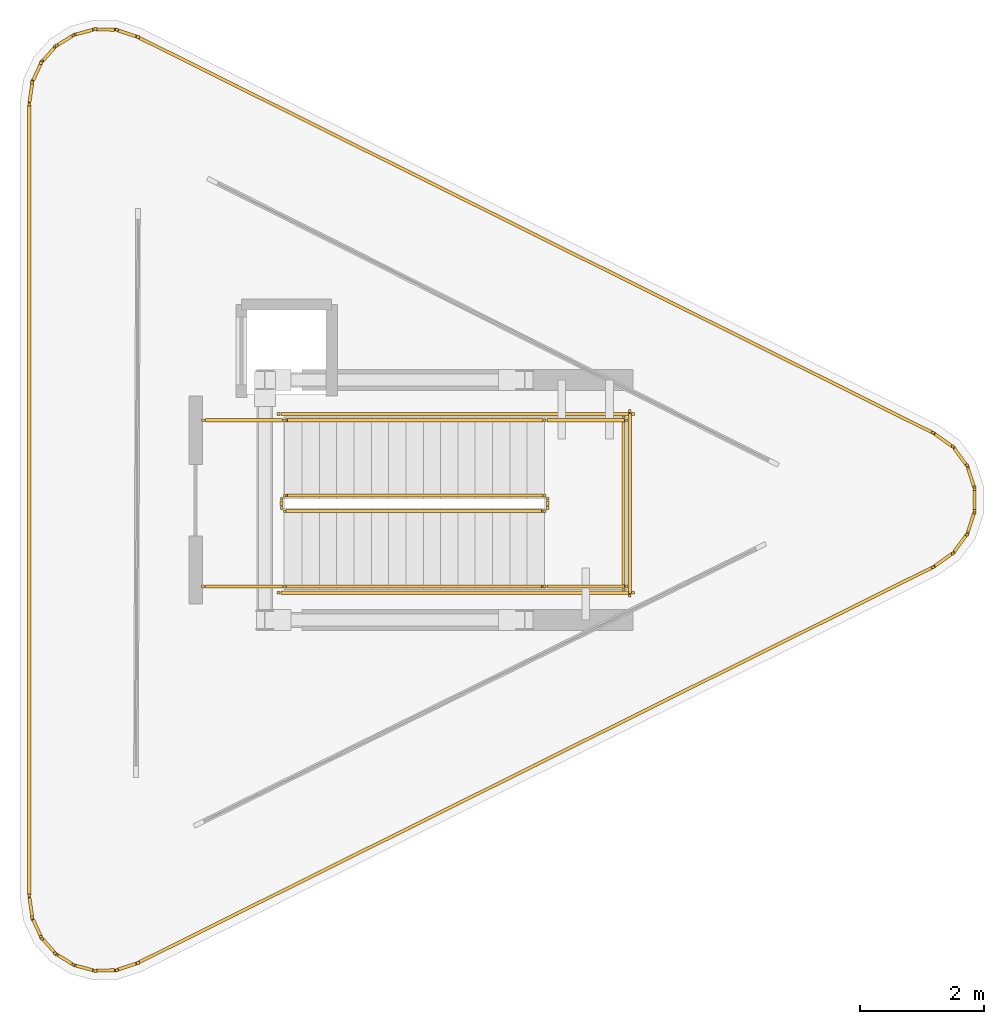
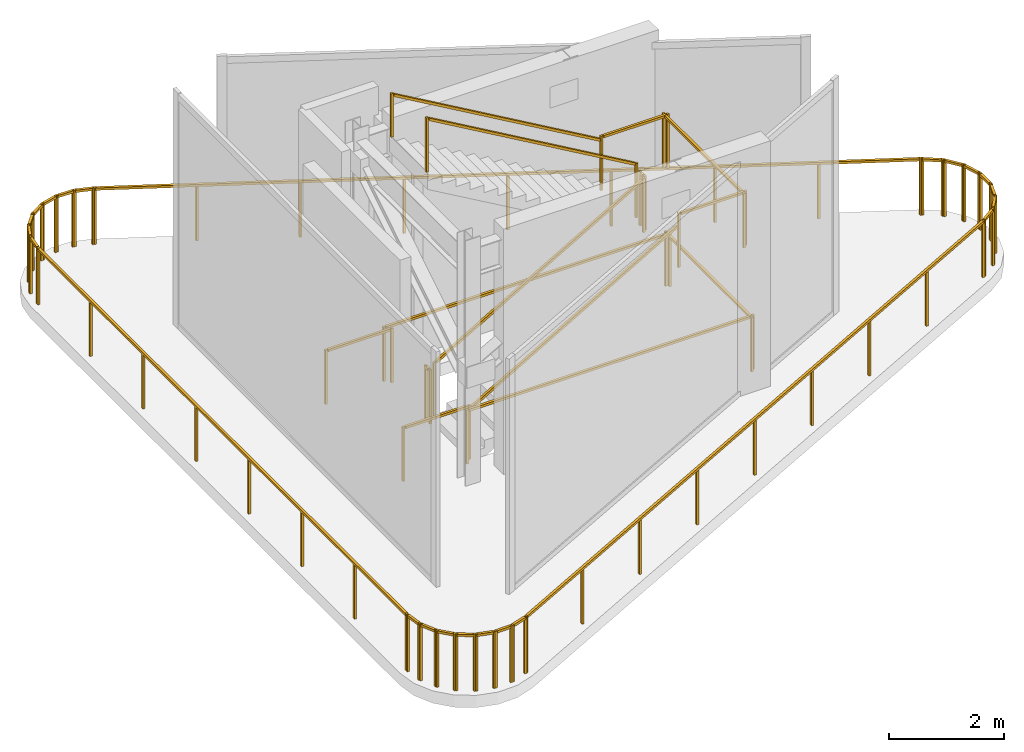
# One storey, part 3 of 3: 38 railings.
"""IFC4 building model written with IfcOpenShell, lengths in metres."""

import ifcopenshell
import ifcopenshell.guid

model = None  # the IFC model being written
_history = None  # IfcOwnerHistory: only IFC2X3 demands one
_inside = {}  # id of a spatial element -> (the spatial element, [elements in it])
_under = {}  # id of a project, library or spatial element -> (it, [spatial elements below it])
_declared = {}  # id of a project -> (the project, [libraries it declares])
_typed = {}  # id of a type object -> (the type object, [elements of that type])
_made_of = {}  # id of a material, layer set ... -> (it, [elements and type objects made of it])


def new_model(schema):
    """Start an empty IFC model of exactly this schema.

    Asked for "IFC4X3", IfcOpenShell would pick the latest addendum, in which some entities
    have other attributes; the version numbers below select the first issue.
    IFC2X3 requires an IfcOwnerHistory on every rooted entity: one is made here for all.
    """
    global model, _history
    if schema == "IFC4X3":
        model = ifcopenshell.file(schema_version=(4, 3, 0, 0))
    else:
        model = ifcopenshell.file(schema=schema)
    _inside.clear()
    _under.clear()
    _declared.clear()
    _typed.clear()
    _made_of.clear()
    _history = None
    if model.schema == "IFC2X3":
        org = make("IfcOrganization", Name="unknown")
        user = make(
            "IfcPersonAndOrganization",
            ThePerson=make("IfcPerson", FamilyName="unknown"),
            TheOrganization=org,
        )
        app = make(
            "IfcApplication",
            ApplicationDeveloper=org,
            Version="unknown",
            ApplicationFullName="unknown",
            ApplicationIdentifier="unknown",
        )
        _history = make(
            "IfcOwnerHistory",
            OwningUser=user,
            OwningApplication=app,
            ChangeAction="ADDED",
            CreationDate=0,
        )
    return model


def make(cls, **values):
    """One entity of the class cls with the attributes given. An attribute that is None is left unset."""
    return model.create_entity(
        cls, **{name: value for name, value in values.items() if value is not None}
    )


def rooted(cls, **values):
    """An entity with a GlobalId (a new one), such as an element, a storey or a relation."""
    return make(cls, GlobalId=ifcopenshell.guid.new(), OwnerHistory=_history, **values)


def si_unit(unit_type, name, prefix=None):
    """IfcSIUnit, for example si_unit("LENGTHUNIT", "METRE", prefix="MILLI")."""
    return make("IfcSIUnit", UnitType=unit_type, Prefix=prefix, Name=name)


def assignment(units):
    """IfcUnitAssignment: the units of a project."""
    return None if units is None else make("IfcUnitAssignment", Units=units)


def point(xyz):
    """IfcCartesianPoint."""
    return None if xyz is None else make("IfcCartesianPoint", Coordinates=xyz)


def direction(xyz):
    """IfcDirection."""
    return None if xyz is None else make("IfcDirection", DirectionRatios=xyz)


def frame(location, z_axis=None, x_axis=None):
    """IfcAxis2Placement3D, a coordinate frame: its origin and axes. An axis left out is left unset."""
    return make(
        "IfcAxis2Placement3D",
        Location=point(location),
        Axis=direction(z_axis),
        RefDirection=direction(x_axis),
    )


def frame_2d(location, x_axis=None):
    """IfcAxis2Placement2D, a coordinate frame in the plane: its origin and x axis."""
    return make(
        "IfcAxis2Placement2D", Location=point(location), RefDirection=direction(x_axis)
    )


def origin():
    """The frame at (0, 0, 0) with its axes left unset."""
    return frame((0.0, 0.0, 0.0))


def origin_2d():
    """The frame at (0, 0) in the plane with its x axis left unset."""
    return frame_2d((0.0, 0.0))


def place(relative_to, where):
    """IfcLocalPlacement: puts the frame where relative to a parent placement (None: the world)."""
    return make(
        "IfcLocalPlacement", PlacementRelTo=relative_to, RelativePlacement=where
    )


def context(
    kind, dimensions, precision=None, world=None, true_north=None, identifier=None
):
    """IfcGeometricRepresentationContext, for example the 3D "Model" context."""
    return make(
        "IfcGeometricRepresentationContext",
        ContextIdentifier=identifier,
        ContextType=kind,
        CoordinateSpaceDimension=dimensions,
        Precision=precision,
        WorldCoordinateSystem=world,
        TrueNorth=true_north,
    )


def subcontext(parent, identifier, kind, view, scale=None):
    """IfcGeometricRepresentationSubContext, for example "Body" below "Model"."""
    return make(
        "IfcGeometricRepresentationSubContext",
        ContextIdentifier=identifier,
        ContextType=kind,
        ParentContext=parent,
        TargetScale=scale,
        TargetView=view,
    )


def project(units=None, contexts=None):
    """IfcProject with its units and contexts."""
    return rooted(
        "IfcProject",
        Name="project",
        RepresentationContexts=contexts,
        UnitsInContext=assignment(units),
    )


def spatial(cls, under=None, at=None, **own):
    """A site, building, storey or space (cls), placed at a placement, below another one or the project."""
    s = rooted(cls, ObjectPlacement=at, **own)
    if under is not None:
        _under.setdefault(under.id(), (under, []))[1].append(s)
    return s


def profile(cls, at=None, kind="AREA", **sizes):
    """A parametric profile (cls). Its sizes go by their IFC names, for example OverallWidth=200.0."""
    return make(cls, ProfileType=kind, Position=at, **sizes)


def rectangle(**sizes):
    """IfcRectangleProfileDef."""
    return profile("IfcRectangleProfileDef", **sizes)


def extrude(swept, where, along, depth):
    """IfcExtrudedAreaSolid: the profile swept, set in the frame where, extruded along a direction by depth."""
    return make(
        "IfcExtrudedAreaSolid",
        SweptArea=swept,
        Position=where,
        ExtrudedDirection=direction(along),
        Depth=depth,
    )


def shape(context_of_items, identifier, shape_type, items):
    """IfcShapeRepresentation: the items that make up one representation, for example the "Body"."""
    return make(
        "IfcShapeRepresentation",
        ContextOfItems=context_of_items,
        RepresentationIdentifier=identifier,
        RepresentationType=shape_type,
        Items=items,
    )


def material(Name=None, Category=None):
    """IfcMaterial."""
    return make("IfcMaterial", Name=Name, Category=Category)


def made_of(thing, what):
    """Note that an element or type object is made of a material, layer set ...; save() writes the relation."""
    if what is not None:
        _made_of.setdefault(what.id(), (what, []))[1].append(thing)
    return thing


def type_object(cls, material=None, **own):
    """A type object (cls), such as IfcWallType, which elements share."""
    return made_of(rooted(cls, **own), material)


def element(
    cls,
    number,
    at=None,
    inside=None,
    cuts=None,
    type_object=None,
    material=None,
    context=None,
    identifier="Body",
    shape_type=None,
    held_by="IfcProductDefinitionShape",
    body=None,
    shapes=None,
    **own,
):
    """One element of the class cls, such as IfcWall. Its Tag is "e" and its number.

    at: its placement. inside: the storey or other place that contains it. cuts: it is an
    opening in that element (IfcRelVoidsElement). A single representation is given by context,
    identifier, shape_type and body (its items); several are given by shapes. held_by: the class
    of the entity that holds the representations. save() writes the other relations.
    """
    e = rooted(cls, Tag="e%d" % number, ObjectPlacement=at, **own)
    if body is not None:
        shapes = [shape(context, identifier, shape_type, body)]
    if shapes is not None:
        e.Representation = make(held_by, Representations=shapes)
    if inside is not None:
        _inside.setdefault(inside.id(), (inside, []))[1].append(e)
    if cuts is not None:
        rooted(
            "IfcRelVoidsElement", RelatingBuildingElement=cuts, RelatedOpeningElement=e
        )
    if type_object is not None:
        _typed.setdefault(type_object.id(), (type_object, []))[1].append(e)
    return made_of(e, material)


def aggregate(whole, parts):
    """IfcRelAggregates: a whole, such as a stair, and the parts it consists of."""
    return rooted("IfcRelAggregates", RelatingObject=whole, RelatedObjects=parts)


def save(model, path):
    """Write the relations noted so far, then the file.

    IfcRelAggregates (storeys below a building ...), IfcRelContainedInSpatialStructure (elements
    in a storey), IfcRelDefinesByType, IfcRelAssociatesMaterial and IfcRelDeclares: one each for
    every whole, place, type object, material and project.
    """
    for whole, parts in _under.values():
        aggregate(whole, parts)
    for where, things in _inside.values():
        rooted(
            "IfcRelContainedInSpatialStructure",
            RelatedElements=things,
            RelatingStructure=where,
        )
    for kind, things in _typed.values():
        rooted("IfcRelDefinesByType", RelatedObjects=things, RelatingType=kind)
    for what, things in _made_of.values():
        rooted("IfcRelAssociatesMaterial", RelatedObjects=things, RelatingMaterial=what)
    for by, libraries in _declared.values():
        rooted("IfcRelDeclares", RelatingContext=by, RelatedDefinitions=libraries)
    model.write(path)


model = new_model("IFC4")

# Units and contexts
model_context = context("Model", 3, precision=1e-05, world=origin(), true_north=direction((0.0, 1.0)))
body_context = subcontext(model_context, "Body", "Model", "MODEL_VIEW")
ifc_project = project(units=[si_unit("LENGTHUNIT", "METRE"), si_unit("AREAUNIT", "SQUARE_METRE"), si_unit("VOLUMEUNIT", "CUBIC_METRE"), si_unit("PLANEANGLEUNIT", "RADIAN"), si_unit("MASSUNIT", "GRAM", prefix="KILO")], contexts=[model_context])

# Site, building, storey
site_placement = place(None, origin())
site = spatial("IfcSite", under=ifc_project, at=site_placement, CompositionType="ELEMENT")
building_placement = place(site_placement, origin())
building = spatial("IfcBuilding", under=site, at=building_placement, Name="Yunling Apex Tower", CompositionType="ELEMENT")
storey_placement = place(building_placement, frame((0.0, 0.0, 338.64990234375)))
storey = spatial("IfcBuildingStorey", under=building, at=storey_placement, Name="C05", CompositionType="ELEMENT", Elevation=338.64990234375)

# Railings
ifc_material_1 = material(Name="Bronze anodised aluminium", Category="aluminium")
railing_type_1 = type_object("IfcRailingType", Name="RL-BAL-1200", PredefinedType="BALUSTRADE", material=ifc_material_1)
railing_1_placement = place(storey_placement, frame((-5.609619140625, -6.42431640625, 0.0)))
element("IfcRailing", 1, at=railing_1_placement, inside=storey, type_object=railing_type_1, Name="RL-CRN-PERIM-C05-01", PredefinedType="BALUSTRADE", context=body_context, shape_type="SweptSolid", body=[
    extrude(rectangle(XDim=0.0439453125, YDim=0.0439453125, at=origin_2d()), origin(), (0.0, 0.0, 1.0), 1.199951171875),
    extrude(rectangle(XDim=0.0439453125, YDim=0.0439453125, at=origin_2d()), frame((0.0, 12.8486328125, 0.0)), (0.0, 0.0, 1.0), 1.199951171875),
    extrude(rectangle(XDim=0.050048828125, YDim=0.050048828125, at=origin_2d()), frame((0.0, 0.038330078125, 1.1748046875), z_axis=(0.0, 1.0, 0.0), x_axis=(-1.0, 0.0, 0.0)), (0.0, 0.0, 1.0), 12.77197265625),
    extrude(rectangle(XDim=0.0439453125, YDim=0.0439453125, at=origin_2d()), frame((0.0, 1.83544921875, 0.0)), (0.0, 0.0, 1.0), 1.14599609375),
    extrude(rectangle(XDim=0.0439453125, YDim=0.0439453125, at=origin_2d()), frame((0.0, 3.671142578125, 0.0)), (0.0, 0.0, 1.0), 1.14599609375),
    extrude(rectangle(XDim=0.0439453125, YDim=0.0439453125, at=origin_2d()), frame((0.0, 5.506591796875, 0.0)), (0.0, 0.0, 1.0), 1.14599609375),
    extrude(rectangle(XDim=0.0439453125, YDim=0.0439453125, at=origin_2d()), frame((0.0, 7.342041015625, 0.0)), (0.0, 0.0, 1.0), 1.14599609375),
    extrude(rectangle(XDim=0.0439453125, YDim=0.0439453125, at=origin_2d()), frame((0.0, 9.177490234375, 0.0)), (0.0, 0.0, 1.0), 1.14599609375),
    extrude(rectangle(XDim=0.0439453125, YDim=0.0439453125, at=origin_2d()), frame((0.0, 11.01318359375, 0.0)), (0.0, 0.0, 1.0), 1.14599609375),
])
railing_2_placement = place(storey_placement, frame((-5.61181640625, 6.394287109375, 0.0)))
element("IfcRailing", 2, at=railing_2_placement, inside=storey, type_object=railing_type_1, Name="RL-CRN-PERIM-C05-02", PredefinedType="BALUSTRADE", context=body_context, shape_type="SweptSolid", body=[
    extrude(rectangle(XDim=0.0439453125, YDim=0.0439453125, at=origin_2d()), origin(), (0.0, 0.0, 1.0), 1.199951171875),
    extrude(rectangle(XDim=0.0439453125, YDim=0.0439453125, at=origin_2d()), frame((0.055908203125, 0.3837890625, 0.0)), (0.0, 0.0, 1.0), 1.199951171875),
    extrude(rectangle(XDim=0.050048828125, YDim=0.050048828125, at=origin_2d()), frame((0.005615234375, 0.037841796875, 1.1748046875), z_axis=(0.144152796464, 0.989555441232, 0.0), x_axis=(-0.989555441232, 0.144152796464, 0.0)), (0.0, 0.0, 1.0), 0.311279296875),
])
railing_3_placement = place(storey_placement, frame((-5.564208984375, 6.74951171875, 0.0)))
element("IfcRailing", 3, at=railing_3_placement, inside=storey, type_object=railing_type_1, Name="RL-CRN-PERIM-C05-03", PredefinedType="BALUSTRADE", context=body_context, shape_type="SweptSolid", body=[
    extrude(rectangle(XDim=0.0439453125, YDim=0.0439453125, at=origin_2d()), origin(), (0.0, 0.0, 1.0), 1.199951171875),
    extrude(rectangle(XDim=0.0439453125, YDim=0.0439453125, at=origin_2d()), frame((0.158935546875, 0.341796875, 0.0)), (0.0, 0.0, 1.0), 1.199951171875),
    extrude(rectangle(XDim=0.050048828125, YDim=0.050048828125, at=origin_2d()), frame((0.01611328125, 0.03466796875, 1.1748046875), z_axis=(0.42164406317, 0.906761426172, 0.0), x_axis=(-0.906761426172, 0.42164406317, 0.0)), (0.0, 0.0, 1.0), 0.30029296875),
])
railing_4_placement = place(storey_placement, frame((-5.42138671875, 7.06640625, 0.0)))
element("IfcRailing", 4, at=railing_4_placement, inside=storey, type_object=railing_type_1, Name="RL-CRN-PERIM-C05-04", PredefinedType="BALUSTRADE", context=body_context, shape_type="SweptSolid", body=[
    extrude(rectangle(XDim=0.0439453125, YDim=0.0439453125, at=origin_2d()), origin(), (0.0, 0.0, 1.0), 1.199951171875),
    extrude(rectangle(XDim=0.0439453125, YDim=0.0439453125, at=origin_2d()), frame((0.25, 0.28173828125, 0.0)), (0.0, 0.0, 1.0), 1.199951171875),
    extrude(rectangle(XDim=0.050048828125, YDim=0.050048828125, at=origin_2d()), frame((0.025390625, 0.028564453125, 1.1748046875), z_axis=(0.663719898576, 0.747981213825, 0.0), x_axis=(-0.747981213825, 0.663719898576, 0.0)), (0.0, 0.0, 1.0), 0.300048828125),
])
railing_5_placement = place(storey_placement, frame((-5.194091796875, 7.3291015625, 0.0)))
element("IfcRailing", 5, at=railing_5_placement, inside=storey, type_object=railing_type_1, Name="RL-CRN-PERIM-C05-05", PredefinedType="BALUSTRADE", context=body_context, shape_type="SweptSolid", body=[
    extrude(rectangle(XDim=0.0439453125, YDim=0.0439453125, at=origin_2d()), origin(), (0.0, 0.0, 1.0), 1.199951171875),
    extrude(rectangle(XDim=0.0439453125, YDim=0.0439453125, at=origin_2d()), frame((0.3203125, 0.1982421875, 0.0)), (0.0, 0.0, 1.0), 1.199951171875),
    extrude(rectangle(XDim=0.050048828125, YDim=0.050048828125, at=origin_2d()), frame((0.03271484375, 0.020263671875, 1.1748046875), z_axis=(0.85032039073, 0.526265363775, 0.0), x_axis=(-0.526265363775, 0.85032039073, 0.0)), (0.0, 0.0, 1.0), 0.300048828125),
])
railing_6_placement = place(storey_placement, frame((-4.90087890625, 7.515625, 0.0)))
element("IfcRailing", 6, at=railing_6_placement, inside=storey, type_object=railing_type_1, Name="RL-CRN-PERIM-C05-06", PredefinedType="BALUSTRADE", context=body_context, shape_type="SweptSolid", body=[
    extrude(rectangle(XDim=0.0439453125, YDim=0.0439453125, at=origin_2d()), origin(), (0.0, 0.0, 1.0), 1.199951171875),
    extrude(rectangle(XDim=0.0439453125, YDim=0.0439453125, at=origin_2d()), frame((0.363525390625, 0.098388671875, 0.0)), (0.0, 0.0, 1.0), 1.199951171875),
    extrude(rectangle(XDim=0.050048828125, YDim=0.050048828125, at=origin_2d()), frame((0.037109375, 0.010009765625, 1.1748046875), z_axis=(0.965270659413, 0.261251897746, 0.0), x_axis=(-0.261251897746, 0.965270659413, 0.0)), (0.0, 0.0, 1.0), 0.300048828125),
])
railing_7_placement = place(storey_placement, frame((-4.56689453125, 7.610595703125, 0.0)))
element("IfcRailing", 7, at=railing_7_placement, inside=storey, type_object=railing_type_1, Name="RL-CRN-PERIM-C05-07", PredefinedType="BALUSTRADE", context=body_context, shape_type="SweptSolid", body=[
    extrude(rectangle(XDim=0.0439453125, YDim=0.0439453125, at=origin_2d()), origin(), (0.0, 0.0, 1.0), 1.199951171875),
    extrude(rectangle(XDim=0.0439453125, YDim=0.0439453125, at=origin_2d()), frame((0.376708984375, -0.010009765625, 0.0)), (0.0, 0.0, 1.0), 1.199951171875),
    extrude(rectangle(XDim=0.050048828125, YDim=0.050048828125, at=origin_2d()), frame((0.038330078125, -0.0009765625, 1.1748046875), z_axis=(0.999647161502, -0.026562238251, 0.0), x_axis=(0.026562238251, 0.999647161502, 0.0)), (0.0, 0.0, 1.0), 0.30029296875),
])
railing_8_placement = place(storey_placement, frame((-4.219482421875, 7.605712890625, 0.0)))
element("IfcRailing", 8, at=railing_8_placement, inside=storey, type_object=railing_type_1, Name="RL-CRN-PERIM-C05-08", PredefinedType="BALUSTRADE", context=body_context, shape_type="SweptSolid", body=[
    extrude(rectangle(XDim=0.0439453125, YDim=0.0439453125, at=origin_2d()), origin(), (0.0, 0.0, 1.0), 1.199951171875),
    extrude(rectangle(XDim=0.0439453125, YDim=0.0439453125, at=origin_2d()), frame((0.36865234375, -0.120849609375, 0.0)), (0.0, 0.0, 1.0), 1.199951171875),
    extrude(rectangle(XDim=0.050048828125, YDim=0.050048828125, at=origin_2d()), frame((0.036376953125, -0.011962890625, 1.1748046875), z_axis=(0.950244810427, -0.311504093484, 0.0), x_axis=(0.311504093484, 0.950244810427, 0.0)), (0.0, 0.0, 1.0), 0.311279296875),
])
railing_9_placement = place(storey_placement, frame((-3.878662109375, 7.49609375, 0.0)))
element("IfcRailing", 9, at=railing_9_placement, inside=storey, type_object=railing_type_1, Name="RL-CRN-PERIM-C05-09", PredefinedType="BALUSTRADE", context=body_context, shape_type="SweptSolid", body=[
    extrude(rectangle(XDim=0.0439453125, YDim=0.0439453125, at=origin_2d()), origin(), (0.0, 0.0, 1.0), 1.199951171875),
    extrude(rectangle(XDim=0.0439453125, YDim=0.0439453125, at=origin_2d()), frame((12.90576171875, -6.423095703125, 0.0)), (0.0, 0.0, 1.0), 1.199951171875),
    extrude(rectangle(XDim=0.050048828125, YDim=0.050048828125, at=origin_2d()), frame((0.034423828125, -0.01708984375, 1.1748046875), z_axis=(0.895252123214, -0.445559912785, 0.0), x_axis=(0.445559912785, 0.895252123214, 0.0)), (0.0, 0.0, 1.0), 14.339111328125),
    extrude(rectangle(XDim=0.0439453125, YDim=0.0439453125, at=origin_2d()), frame((1.61328125, -0.802978515625, 0.0)), (0.0, 0.0, 1.0), 1.14599609375),
    extrude(rectangle(XDim=0.0439453125, YDim=0.0439453125, at=origin_2d()), frame((3.2265625, -1.605712890625, 0.0)), (0.0, 0.0, 1.0), 1.14599609375),
    extrude(rectangle(XDim=0.0439453125, YDim=0.0439453125, at=origin_2d()), frame((4.839599609375, -2.40869140625, 0.0)), (0.0, 0.0, 1.0), 1.14599609375),
    extrude(rectangle(XDim=0.0439453125, YDim=0.0439453125, at=origin_2d()), frame((6.452880859375, -3.21142578125, 0.0)), (0.0, 0.0, 1.0), 1.14599609375),
    extrude(rectangle(XDim=0.0439453125, YDim=0.0439453125, at=origin_2d()), frame((8.066162109375, -4.014404296875, 0.0)), (0.0, 0.0, 1.0), 1.14599609375),
    extrude(rectangle(XDim=0.0439453125, YDim=0.0439453125, at=origin_2d()), frame((9.67919921875, -4.8173828125, 0.0)), (0.0, 0.0, 1.0), 1.14599609375),
    extrude(rectangle(XDim=0.0439453125, YDim=0.0439453125, at=origin_2d()), frame((11.29248046875, -5.6201171875, 0.0)), (0.0, 0.0, 1.0), 1.14599609375),
])
railing_10_placement = place(storey_placement, frame((9.00146484375, 1.08837890625, 0.0)))
element("IfcRailing", 10, at=railing_10_placement, inside=storey, type_object=railing_type_1, Name="RL-CRN-PERIM-C05-10", PredefinedType="BALUSTRADE", context=body_context, shape_type="SweptSolid", body=[
    extrude(rectangle(XDim=0.0439453125, YDim=0.0439453125, at=origin_2d()), origin(), (0.0, 0.0, 1.0), 1.199951171875),
    extrude(rectangle(XDim=0.0439453125, YDim=0.0439453125, at=origin_2d()), frame((0.341796875, -0.244140625, 0.0)), (0.0, 0.0, 1.0), 1.199951171875),
    extrude(rectangle(XDim=0.050048828125, YDim=0.050048828125, at=origin_2d()), frame((0.03125, -0.022216796875, 1.1748046875), z_axis=(0.813733471207, -0.581238193719, 0.0), x_axis=(0.581238193719, 0.813733471207, 0.0)), (0.0, 0.0, 1.0), 0.34326171875),
])
railing_11_placement = place(storey_placement, frame((9.322021484375, 0.864990234375, 0.0)))
element("IfcRailing", 11, at=railing_11_placement, inside=storey, type_object=railing_type_1, Name="RL-CRN-PERIM-C05-11", PredefinedType="BALUSTRADE", context=body_context, shape_type="SweptSolid", body=[
    extrude(rectangle(XDim=0.0439453125, YDim=0.0439453125, at=origin_2d()), origin(), (0.0, 0.0, 1.0), 1.199951171875),
    extrude(rectangle(XDim=0.0439453125, YDim=0.0439453125, at=origin_2d()), frame((0.24169921875, -0.328857421875, 0.0)), (0.0, 0.0, 1.0), 1.199951171875),
    extrude(rectangle(XDim=0.050048828125, YDim=0.050048828125, at=origin_2d()), frame((0.022705078125, -0.031005859375, 1.1748046875), z_axis=(0.592219138611, -0.805776949201, 0.0), x_axis=(0.805776949201, 0.592219138611, 0.0)), (0.0, 0.0, 1.0), 0.33154296875),
])
railing_12_placement = place(storey_placement, frame((9.55029296875, 0.5625, 0.0)))
element("IfcRailing", 12, at=railing_12_placement, inside=storey, type_object=railing_type_1, Name="RL-CRN-PERIM-C05-12", PredefinedType="BALUSTRADE", context=body_context, shape_type="SweptSolid", body=[
    extrude(rectangle(XDim=0.0439453125, YDim=0.0439453125, at=origin_2d()), origin(), (0.0, 0.0, 1.0), 1.199951171875),
    extrude(rectangle(XDim=0.0439453125, YDim=0.0439453125, at=origin_2d()), frame((0.126953125, -0.3876953125, 0.0)), (0.0, 0.0, 1.0), 1.199951171875),
    extrude(rectangle(XDim=0.050048828125, YDim=0.050048828125, at=origin_2d()), frame((0.011962890625, -0.036376953125, 1.1748046875), z_axis=(0.311196309041, -0.950345651455, 0.0), x_axis=(0.950345651455, 0.311196309041, 0.0)), (0.0, 0.0, 1.0), 0.331298828125),
])
railing_13_placement = place(storey_placement, frame((9.672607421875, 0.2041015625, 0.0)))
element("IfcRailing", 13, at=railing_13_placement, inside=storey, type_object=railing_type_1, Name="RL-CRN-PERIM-C05-13", PredefinedType="BALUSTRADE", context=body_context, shape_type="SweptSolid", body=[
    extrude(rectangle(XDim=0.0439453125, YDim=0.0439453125, at=origin_2d()), origin(), (0.0, 0.0, 1.0), 1.199951171875),
    extrude(rectangle(XDim=0.0439453125, YDim=0.0439453125, at=origin_2d()), frame((0.0, -0.408203125, 0.0)), (0.0, 0.0, 1.0), 1.199951171875),
    extrude(rectangle(XDim=0.050048828125, YDim=0.050048828125, at=origin_2d()), frame((0.0, -0.038330078125, 1.1748046875), z_axis=(0.0, -1.0, 0.0), x_axis=(1.0, 0.0, 0.0)), (0.0, 0.0, 1.0), 0.33154296875),
])
railing_14_placement = place(storey_placement, frame((9.67724609375, -0.1748046875, 0.0)))
element("IfcRailing", 14, at=railing_14_placement, inside=storey, type_object=railing_type_1, Name="RL-CRN-PERIM-C05-14", PredefinedType="BALUSTRADE", context=body_context, shape_type="SweptSolid", body=[
    extrude(rectangle(XDim=0.0439453125, YDim=0.0439453125, at=origin_2d()), origin(), (0.0, 0.0, 1.0), 1.199951171875),
    extrude(rectangle(XDim=0.0439453125, YDim=0.0439453125, at=origin_2d()), frame((-0.126953125, -0.3876953125, 0.0)), (0.0, 0.0, 1.0), 1.199951171875),
    extrude(rectangle(XDim=0.050048828125, YDim=0.050048828125, at=origin_2d()), frame((-0.011962890625, -0.036376953125, 1.1748046875), z_axis=(-0.311196309041, -0.950345651455, 0.0), x_axis=(0.950345651455, -0.311196309041, 0.0)), (0.0, 0.0, 1.0), 0.331298828125),
])
railing_15_placement = place(storey_placement, frame((9.563720703125, -0.5361328125, 0.0)))
element("IfcRailing", 15, at=railing_15_placement, inside=storey, type_object=railing_type_1, Name="RL-CRN-PERIM-C05-15", PredefinedType="BALUSTRADE", context=body_context, shape_type="SweptSolid", body=[
    extrude(rectangle(XDim=0.0439453125, YDim=0.0439453125, at=origin_2d()), origin(), (0.0, 0.0, 1.0), 1.199951171875),
    extrude(rectangle(XDim=0.0439453125, YDim=0.0439453125, at=origin_2d()), frame((-0.24169921875, -0.328857421875, 0.0)), (0.0, 0.0, 1.0), 1.199951171875),
    extrude(rectangle(XDim=0.050048828125, YDim=0.050048828125, at=origin_2d()), frame((-0.022705078125, -0.031005859375, 1.1748046875), z_axis=(-0.592219138611, -0.805776949201, 0.0), x_axis=(0.805776949201, -0.592219138611, 0.0)), (0.0, 0.0, 1.0), 0.33154296875),
])
railing_16_placement = place(storey_placement, frame((9.34326171875, -0.84423828125, 0.0)))
element("IfcRailing", 16, at=railing_16_placement, inside=storey, type_object=railing_type_1, Name="RL-CRN-PERIM-C05-16", PredefinedType="BALUSTRADE", context=body_context, shape_type="SweptSolid", body=[
    extrude(rectangle(XDim=0.0439453125, YDim=0.0439453125, at=origin_2d()), origin(), (0.0, 0.0, 1.0), 1.199951171875),
    extrude(rectangle(XDim=0.0439453125, YDim=0.0439453125, at=origin_2d()), frame((-0.341796875, -0.244140625, 0.0)), (0.0, 0.0, 1.0), 1.199951171875),
    extrude(rectangle(XDim=0.050048828125, YDim=0.050048828125, at=origin_2d()), frame((-0.03125, -0.022216796875, 1.1748046875), z_axis=(-0.813733471207, -0.581238193719, 0.0), x_axis=(0.581238193719, -0.813733471207, 0.0)), (0.0, 0.0, 1.0), 0.34326171875),
])
railing_17_placement = place(storey_placement, frame((9.027099609375, -1.072998046875, 0.0)))
element("IfcRailing", 17, at=railing_17_placement, inside=storey, type_object=railing_type_1, Name="RL-CRN-PERIM-C05-17", PredefinedType="BALUSTRADE", context=body_context, shape_type="SweptSolid", body=[
    extrude(rectangle(XDim=0.0439453125, YDim=0.0439453125, at=origin_2d()), origin(), (0.0, 0.0, 1.0), 1.199951171875),
    extrude(rectangle(XDim=0.0439453125, YDim=0.0439453125, at=origin_2d()), frame((-12.90576171875, -6.423095703125, 0.0)), (0.0, 0.0, 1.0), 1.199951171875),
    extrude(rectangle(XDim=0.050048828125, YDim=0.050048828125, at=origin_2d()), frame((-0.034423828125, -0.01708984375, 1.1748046875), z_axis=(-0.895252123214, -0.445559912785, 0.0), x_axis=(0.445559912785, -0.895252123214, 0.0)), (0.0, 0.0, 1.0), 14.339111328125),
    extrude(rectangle(XDim=0.0439453125, YDim=0.0439453125, at=origin_2d()), frame((-1.61328125, -0.802978515625, 0.0)), (0.0, 0.0, 1.0), 1.14599609375),
    extrude(rectangle(XDim=0.0439453125, YDim=0.0439453125, at=origin_2d()), frame((-3.2265625, -1.605712890625, 0.0)), (0.0, 0.0, 1.0), 1.14599609375),
    extrude(rectangle(XDim=0.0439453125, YDim=0.0439453125, at=origin_2d()), frame((-4.839599609375, -2.40869140625, 0.0)), (0.0, 0.0, 1.0), 1.14599609375),
    extrude(rectangle(XDim=0.0439453125, YDim=0.0439453125, at=origin_2d()), frame((-6.452880859375, -3.21142578125, 0.0)), (0.0, 0.0, 1.0), 1.14599609375),
    extrude(rectangle(XDim=0.0439453125, YDim=0.0439453125, at=origin_2d()), frame((-8.066162109375, -4.014404296875, 0.0)), (0.0, 0.0, 1.0), 1.14599609375),
    extrude(rectangle(XDim=0.0439453125, YDim=0.0439453125, at=origin_2d()), frame((-9.67919921875, -4.8173828125, 0.0)), (0.0, 0.0, 1.0), 1.14599609375),
    extrude(rectangle(XDim=0.0439453125, YDim=0.0439453125, at=origin_2d()), frame((-11.29248046875, -5.6201171875, 0.0)), (0.0, 0.0, 1.0), 1.14599609375),
])
railing_18_placement = place(storey_placement, frame((-3.850830078125, -7.48486328125, 0.0)))
element("IfcRailing", 18, at=railing_18_placement, inside=storey, type_object=railing_type_1, Name="RL-CRN-PERIM-C05-18", PredefinedType="BALUSTRADE", context=body_context, shape_type="SweptSolid", body=[
    extrude(rectangle(XDim=0.0439453125, YDim=0.0439453125, at=origin_2d()), origin(), (0.0, 0.0, 1.0), 1.199951171875),
    extrude(rectangle(XDim=0.0439453125, YDim=0.0439453125, at=origin_2d()), frame((-0.36865234375, -0.120849609375, 0.0)), (0.0, 0.0, 1.0), 1.199951171875),
    extrude(rectangle(XDim=0.050048828125, YDim=0.050048828125, at=origin_2d()), frame((-0.036376953125, -0.011962890625, 1.1748046875), z_axis=(-0.950244810427, -0.311504093484, 0.0), x_axis=(0.311504093484, -0.950244810427, 0.0)), (0.0, 0.0, 1.0), 0.311279296875),
])
railing_19_placement = place(storey_placement, frame((-4.190185546875, -7.6005859375, 0.0)))
element("IfcRailing", 19, at=railing_19_placement, inside=storey, type_object=railing_type_1, Name="RL-CRN-PERIM-C05-19", PredefinedType="BALUSTRADE", context=body_context, shape_type="SweptSolid", body=[
    extrude(rectangle(XDim=0.0439453125, YDim=0.0439453125, at=origin_2d()), origin(), (0.0, 0.0, 1.0), 1.199951171875),
    extrude(rectangle(XDim=0.0439453125, YDim=0.0439453125, at=origin_2d()), frame((-0.376708984375, -0.010009765625, 0.0)), (0.0, 0.0, 1.0), 1.199951171875),
    extrude(rectangle(XDim=0.050048828125, YDim=0.050048828125, at=origin_2d()), frame((-0.038330078125, -0.0009765625, 1.1748046875), z_axis=(-0.999647161502, -0.026562238251, 0.0), x_axis=(0.026562238251, -0.999647161502, 0.0)), (0.0, 0.0, 1.0), 0.30029296875),
])
railing_20_placement = place(storey_placement, frame((-4.537353515625, -7.614013671875, 0.0)))
element("IfcRailing", 20, at=railing_20_placement, inside=storey, type_object=railing_type_1, Name="RL-CRN-PERIM-C05-20", PredefinedType="BALUSTRADE", context=body_context, shape_type="SweptSolid", body=[
    extrude(rectangle(XDim=0.0439453125, YDim=0.0439453125, at=origin_2d()), origin(), (0.0, 0.0, 1.0), 1.199951171875),
    extrude(rectangle(XDim=0.0439453125, YDim=0.0439453125, at=origin_2d()), frame((-0.363525390625, 0.098388671875, 0.0)), (0.0, 0.0, 1.0), 1.199951171875),
    extrude(rectangle(XDim=0.050048828125, YDim=0.050048828125, at=origin_2d()), frame((-0.037109375, 0.010009765625, 1.1748046875), z_axis=(-0.965270659413, 0.261251897746, 0.0), x_axis=(-0.261251897746, -0.965270659413, 0.0)), (0.0, 0.0, 1.0), 0.300048828125),
])
railing_21_placement = place(storey_placement, frame((-4.873779296875, -7.52734375, 0.0)))
element("IfcRailing", 21, at=railing_21_placement, inside=storey, type_object=railing_type_1, Name="RL-CRN-PERIM-C05-21", PredefinedType="BALUSTRADE", context=body_context, shape_type="SweptSolid", body=[
    extrude(rectangle(XDim=0.0439453125, YDim=0.0439453125, at=origin_2d()), origin(), (0.0, 0.0, 1.0), 1.199951171875),
    extrude(rectangle(XDim=0.0439453125, YDim=0.0439453125, at=origin_2d()), frame((-0.3203125, 0.1982421875, 0.0)), (0.0, 0.0, 1.0), 1.199951171875),
    extrude(rectangle(XDim=0.050048828125, YDim=0.050048828125, at=origin_2d()), frame((-0.03271484375, 0.020263671875, 1.1748046875), z_axis=(-0.85032039073, 0.526265363775, 0.0), x_axis=(-0.526265363775, -0.85032039073, 0.0)), (0.0, 0.0, 1.0), 0.300048828125),
])
railing_22_placement = place(storey_placement, frame((-5.17138671875, -7.34814453125, 0.0)))
element("IfcRailing", 22, at=railing_22_placement, inside=storey, type_object=railing_type_1, Name="RL-CRN-PERIM-C05-22", PredefinedType="BALUSTRADE", context=body_context, shape_type="SweptSolid", body=[
    extrude(rectangle(XDim=0.0439453125, YDim=0.0439453125, at=origin_2d()), origin(), (0.0, 0.0, 1.0), 1.199951171875),
    extrude(rectangle(XDim=0.0439453125, YDim=0.0439453125, at=origin_2d()), frame((-0.25, 0.28173828125, 0.0)), (0.0, 0.0, 1.0), 1.199951171875),
    extrude(rectangle(XDim=0.050048828125, YDim=0.050048828125, at=origin_2d()), frame((-0.025390625, 0.028564453125, 1.1748046875), z_axis=(-0.663719898576, 0.747981213825, 0.0), x_axis=(-0.747981213825, -0.663719898576, 0.0)), (0.0, 0.0, 1.0), 0.300048828125),
])
railing_23_placement = place(storey_placement, frame((-5.4052734375, -7.09130859375, 0.0)))
element("IfcRailing", 23, at=railing_23_placement, inside=storey, type_object=railing_type_1, Name="RL-CRN-PERIM-C05-23", PredefinedType="BALUSTRADE", context=body_context, shape_type="SweptSolid", body=[
    extrude(rectangle(XDim=0.0439453125, YDim=0.0439453125, at=origin_2d()), origin(), (0.0, 0.0, 1.0), 1.199951171875),
    extrude(rectangle(XDim=0.0439453125, YDim=0.0439453125, at=origin_2d()), frame((-0.158935546875, 0.341796875, 0.0)), (0.0, 0.0, 1.0), 1.199951171875),
    extrude(rectangle(XDim=0.050048828125, YDim=0.050048828125, at=origin_2d()), frame((-0.01611328125, 0.03466796875, 1.1748046875), z_axis=(-0.42164406317, 0.906761426172, 0.0), x_axis=(-0.906761426172, -0.42164406317, 0.0)), (0.0, 0.0, 1.0), 0.30029296875),
])
railing_24_placement = place(storey_placement, frame((-5.555908203125, -6.778076171875, 0.0)))
element("IfcRailing", 24, at=railing_24_placement, inside=storey, type_object=railing_type_1, Name="RL-CRN-PERIM-C05-24", PredefinedType="BALUSTRADE", context=body_context, shape_type="SweptSolid", body=[
    extrude(rectangle(XDim=0.0439453125, YDim=0.0439453125, at=origin_2d()), origin(), (0.0, 0.0, 1.0), 1.199951171875),
    extrude(rectangle(XDim=0.0439453125, YDim=0.0439453125, at=origin_2d()), frame((-0.055908203125, 0.3837890625, 0.0)), (0.0, 0.0, 1.0), 1.199951171875),
    extrude(rectangle(XDim=0.050048828125, YDim=0.050048828125, at=origin_2d()), frame((-0.005615234375, 0.037841796875, 1.1748046875), z_axis=(-0.144152796464, 0.989555441232, 0.0), x_axis=(-0.989555441232, -0.144152796464, 0.0)), (0.0, 0.0, 1.0), 0.311279296875),
])
ifc_material_2 = material(Name="Steel Q355B", Category="steel")
railing_type_2 = type_object("IfcRailingType", Name="RL-GRD-1150", PredefinedType="GUARDRAIL", material=ifc_material_2)
railing_25_placement = place(storey_placement, frame((-1.47998046875, -0.179931640625, 0.16259765625)))
element("IfcRailing", 25, at=railing_25_placement, inside=storey, type_object=railing_type_2, Name="C05 ST-C1 stair guard 1", PredefinedType="GUARDRAIL", context=body_context, shape_type="SweptSolid", body=[
    extrude(rectangle(XDim=0.0439453125, YDim=0.0439453125, at=origin_2d()), origin(), (0.0, 0.0, 1.0), 1.14990234375),
    extrude(rectangle(XDim=0.0439453125, YDim=0.0439453125, at=origin_2d()), frame((4.199951171875, 0.0, 2.4375)), (0.0, 0.0, 1.0), 1.14990234375),
    extrude(rectangle(XDim=0.050048828125, YDim=0.050048828125, at=origin_2d()), frame((0.033203125, 0.0, 1.14404296875), z_axis=(0.864894565338, 0.0, 0.501953574396), x_axis=(0.0, 1.0, 0.0)), (0.0, 0.0, 1.0), 4.779296875),
])
railing_26_placement = place(storey_placement, frame((2.77001953125, -0.1298828125, 2.60009765625)))
element("IfcRailing", 26, at=railing_26_placement, inside=storey, type_object=railing_type_2, Name="C05 ST-C1 stair guard 2", PredefinedType="GUARDRAIL", context=body_context, shape_type="SweptSolid", body=[
    extrude(rectangle(XDim=0.0439453125, YDim=0.0439453125, at=origin_2d()), origin(), (0.0, 0.0, 1.0), 1.14990234375),
    extrude(rectangle(XDim=0.0439453125, YDim=0.0439453125, at=origin_2d()), frame((0.0, 0.14990234375, 0.0)), (0.0, 0.0, 1.0), 1.14990234375),
    extrude(rectangle(XDim=0.050048828125, YDim=0.050048828125, at=origin_2d()), frame((0.0, 0.038330078125, 1.125), z_axis=(0.0, 1.0, 0.0), x_axis=(-1.0, 0.0, 0.0)), (0.0, 0.0, 1.0), 0.0732421875),
])
for number, where, name in (
    (27, (2.719970703125, -1.39990234375, 2.60009765625), "C05 ST-C1 stair guard 3"),
    (28, (2.719970703125, 1.2900390625, 2.60009765625), "C05 ST-C1 stair guard 4"),
):
    element("IfcRailing", number, at=place(storey_placement, frame(where)), inside=storey, type_object=railing_type_2, Name=name, PredefinedType="GUARDRAIL", context=body_context, shape_type="SweptSolid", body=[
        extrude(rectangle(XDim=0.0439453125, YDim=0.0439453125, at=origin_2d()), origin(), (0.0, 0.0, 1.0), 1.14990234375),
        extrude(rectangle(XDim=0.0439453125, YDim=0.0439453125, at=origin_2d()), frame((1.330078125, 0.0, 0.0)), (0.0, 0.0, 1.0), 1.14990234375),
        extrude(rectangle(XDim=0.050048828125, YDim=0.050048828125, at=origin_2d()), frame((0.038330078125, 0.0, 1.125), z_axis=(1.0, 0.0, 0.0), x_axis=(0.0, 1.0, 0.0)), (0.0, 0.0, 1.0), 1.25341796875),
    ])
railing_27_placement = place(storey_placement, frame((4.0, -1.449951171875, 2.60009765625)))
element("IfcRailing", 29, at=railing_27_placement, inside=storey, type_object=railing_type_2, Name="C05 ST-C1 stair guard 5", PredefinedType="GUARDRAIL", context=body_context, shape_type="SweptSolid", body=[
    extrude(rectangle(XDim=0.0439453125, YDim=0.0439453125, at=origin_2d()), origin(), (0.0, 0.0, 1.0), 1.14990234375),
    extrude(rectangle(XDim=0.0439453125, YDim=0.0439453125, at=origin_2d()), frame((0.0, 2.7900390625, 0.0)), (0.0, 0.0, 1.0), 1.14990234375),
    extrude(rectangle(XDim=0.050048828125, YDim=0.050048828125, at=origin_2d()), frame((0.0, 0.038330078125, 1.125), z_axis=(0.0, 1.0, 0.0), x_axis=(-1.0, 0.0, 0.0)), (0.0, 0.0, 1.0), 2.71337890625),
])
railing_28_placement = place(storey_placement, frame((2.719970703125, 0.070068359375, 2.7626953125)))
element("IfcRailing", 30, at=railing_28_placement, inside=storey, type_object=railing_type_2, Name="C05 ST-C1 stair guard 6", PredefinedType="GUARDRAIL", context=body_context, shape_type="SweptSolid", body=[
    extrude(rectangle(XDim=0.0439453125, YDim=0.0439453125, at=origin_2d()), origin(), (0.0, 0.0, 1.0), 1.14990234375),
    extrude(rectangle(XDim=0.0439453125, YDim=0.0439453125, at=origin_2d()), frame((-4.199951171875, 0.0, 2.4375)), (0.0, 0.0, 1.0), 1.14990234375),
    extrude(rectangle(XDim=0.050048828125, YDim=0.050048828125, at=origin_2d()), frame((-0.033203125, 0.0, 1.14404296875), z_axis=(-0.864894565338, 0.0, 0.501953574396), x_axis=(0.0, -1.0, 0.0)), (0.0, 0.0, 1.0), 4.779296875),
])
railing_29_placement = place(storey_placement, frame((-1.530029296875, -0.1298828125, 0.0)))
element("IfcRailing", 31, at=railing_29_placement, inside=storey, type_object=railing_type_2, Name="C05 ST-C1 stair guard 7", PredefinedType="GUARDRAIL", context=body_context, shape_type="SweptSolid", body=[
    extrude(rectangle(XDim=0.0439453125, YDim=0.0439453125, at=origin_2d()), origin(), (0.0, 0.0, 1.0), 1.14990234375),
    extrude(rectangle(XDim=0.0439453125, YDim=0.0439453125, at=origin_2d()), frame((0.0, 0.14990234375, 0.0)), (0.0, 0.0, 1.0), 1.14990234375),
    extrude(rectangle(XDim=0.050048828125, YDim=0.050048828125, at=origin_2d()), frame((0.0, 0.038330078125, 1.125), z_axis=(0.0, 1.0, 0.0), x_axis=(-1.0, 0.0, 0.0)), (0.0, 0.0, 1.0), 0.0732421875),
])
for number, where, name in (
    (32, (-2.800048828125, -1.39990234375, 0.0), "C05 ST-C1 stair guard 8"),
    (33, (-2.800048828125, 1.2900390625, 0.0), "C05 ST-C1 stair guard 9"),
):
    element("IfcRailing", number, at=place(storey_placement, frame(where)), inside=storey, type_object=railing_type_2, Name=name, PredefinedType="GUARDRAIL", context=body_context, shape_type="SweptSolid", body=[
        extrude(rectangle(XDim=0.0439453125, YDim=0.0439453125, at=origin_2d()), origin(), (0.0, 0.0, 1.0), 1.14990234375),
        extrude(rectangle(XDim=0.0439453125, YDim=0.0439453125, at=origin_2d()), frame((1.320068359375, 0.0, 0.0)), (0.0, 0.0, 1.0), 1.14990234375),
        extrude(rectangle(XDim=0.050048828125, YDim=0.050048828125, at=origin_2d()), frame((0.038330078125, 0.0, 1.125), z_axis=(1.0, 0.0, 0.0), x_axis=(0.0, 1.0, 0.0)), (0.0, 0.0, 1.0), 1.243408203125),
    ])
for number, where, name in (
    (34, (-1.580078125, -1.5, 0.0), "C05 ST-C1 stair guard 10"),
    (35, (-1.580078125, 1.389892578125, 0.0), "C05 ST-C1 stair guard 11"),
):
    element("IfcRailing", number, at=place(storey_placement, frame(where)), inside=storey, type_object=railing_type_2, Name=name, PredefinedType="GUARDRAIL", context=body_context, shape_type="SweptSolid", body=[
        extrude(rectangle(XDim=0.0439453125, YDim=0.0439453125, at=origin_2d()), origin(), (0.0, 0.0, 1.0), 1.14990234375),
        extrude(rectangle(XDim=0.0439453125, YDim=0.0439453125, at=origin_2d()), frame((5.72998046875, 0.0, 0.0)), (0.0, 0.0, 1.0), 1.14990234375),
        extrude(rectangle(XDim=0.050048828125, YDim=0.050048828125, at=origin_2d()), frame((0.038330078125, 0.0, 1.125), z_axis=(1.0, 0.0, 0.0), x_axis=(0.0, 1.0, 0.0)), (0.0, 0.0, 1.0), 5.6533203125),
    ])
railing_30_placement = place(storey_placement, frame((4.10009765625, -1.550048828125, 0.0)))
element("IfcRailing", 36, at=railing_30_placement, inside=storey, type_object=railing_type_2, Name="C05 ST-C1 stair guard 12", PredefinedType="GUARDRAIL", context=body_context, shape_type="SweptSolid", body=[
    extrude(rectangle(XDim=0.0439453125, YDim=0.0439453125, at=origin_2d()), origin(), (0.0, 0.0, 1.0), 1.14990234375),
    extrude(rectangle(XDim=0.0439453125, YDim=0.0439453125, at=origin_2d()), frame((0.0, 2.989990234375, 0.0)), (0.0, 0.0, 1.0), 1.14990234375),
    extrude(rectangle(XDim=0.050048828125, YDim=0.050048828125, at=origin_2d()), frame((0.0, 0.038330078125, 1.125), z_axis=(0.0, 1.0, 0.0), x_axis=(-1.0, 0.0, 0.0)), (0.0, 0.0, 1.0), 2.913330078125),
])
ifc_material_3 = material(Name="Silver anodised aluminium", Category="aluminium")
railing_type_3 = type_object("IfcRailingType", Name="RL-HND-900", PredefinedType="HANDRAIL", material=ifc_material_3)
railing_31_placement = place(storey_placement, frame((-1.47998046875, -1.39990234375, 0.16259765625)))
element("IfcRailing", 37, at=railing_31_placement, inside=storey, type_object=railing_type_3, Name="C05 ST-C1 stair handrail 1", PredefinedType="HANDRAIL", context=body_context, shape_type="SweptSolid", body=[
    extrude(rectangle(XDim=0.0439453125, YDim=0.0439453125, at=origin_2d()), origin(), (0.0, 0.0, 1.0), 0.919921875),
    extrude(rectangle(XDim=0.0439453125, YDim=0.0439453125, at=origin_2d()), frame((4.199951171875, 0.0, 2.4375)), (0.0, 0.0, 1.0), 0.919921875),
    extrude(rectangle(XDim=0.050048828125, YDim=0.050048828125, at=origin_2d()), frame((0.033203125, 0.0, 0.9140625), z_axis=(0.864894565338, 0.0, 0.501953574396), x_axis=(0.0, 1.0, 0.0)), (0.0, 0.0, 1.0), 4.779296875),
])
railing_32_placement = place(storey_placement, frame((2.719970703125, 1.2900390625, 2.7626953125)))
element("IfcRailing", 38, at=railing_32_placement, inside=storey, type_object=railing_type_3, Name="C05 ST-C1 stair handrail 2", PredefinedType="HANDRAIL", context=body_context, shape_type="SweptSolid", body=[
    extrude(rectangle(XDim=0.0439453125, YDim=0.0439453125, at=origin_2d()), origin(), (0.0, 0.0, 1.0), 0.919921875),
    extrude(rectangle(XDim=0.0439453125, YDim=0.0439453125, at=origin_2d()), frame((-4.199951171875, 0.0, 2.4375)), (0.0, 0.0, 1.0), 0.919921875),
    extrude(rectangle(XDim=0.050048828125, YDim=0.050048828125, at=origin_2d()), frame((-0.033203125, 0.0, 0.9140625), z_axis=(-0.864894565338, 0.0, 0.501953574396), x_axis=(0.0, -1.0, 0.0)), (0.0, 0.0, 1.0), 4.779296875),
])

save(model, "model.ifc")
